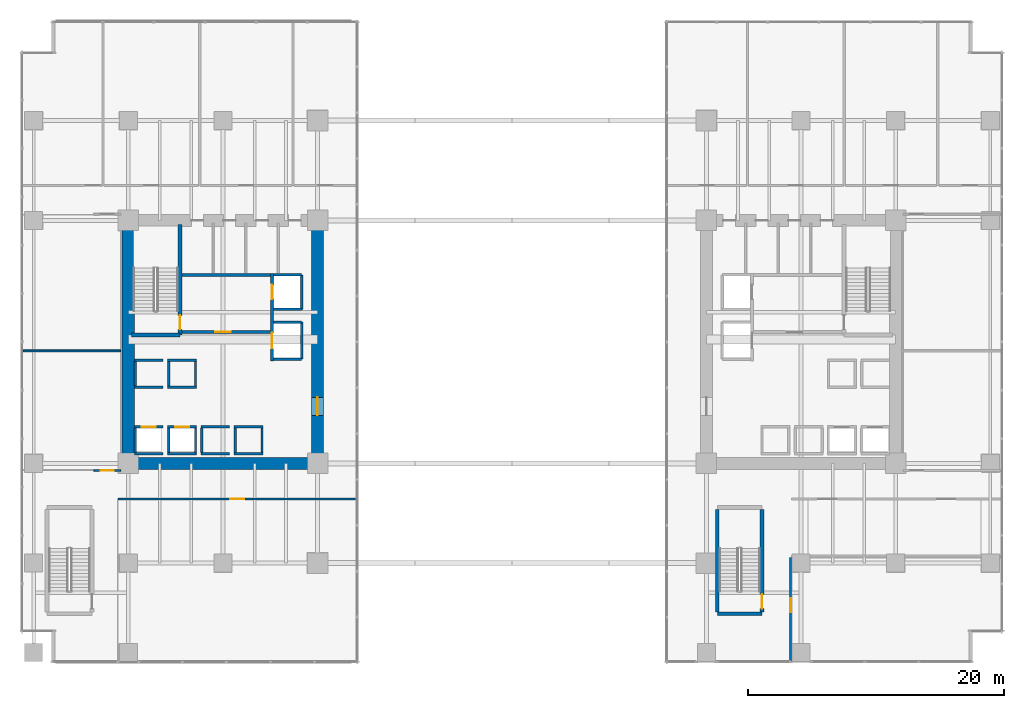
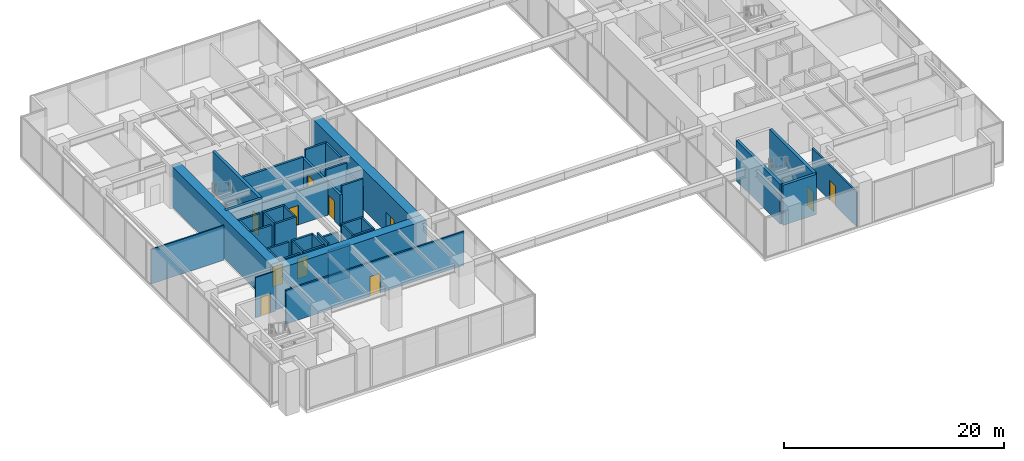
# One storey, part 30 of 39: 42 walls, 11 doors, 11 openings.
"""IFC4 building model written with IfcOpenShell, lengths in metres."""

from ifc_helpers import new_model, si_unit, direction, frame, frame_2d, origin, place, context, subcontext, project, spatial, rectangle, extrude, source, transform, mapped, material, layer, layer_set, type_object, type_shapes, element, fill, save


model = new_model("IFC4")

# Units and contexts
model_context = context("Model", 3, precision=1e-05, world=origin(), true_north=direction((0.0, 1.0)))
body_context = subcontext(model_context, "Body", "Model", "MODEL_VIEW")
ifc_project = project(units=[si_unit("LENGTHUNIT", "METRE"), si_unit("AREAUNIT", "SQUARE_METRE"), si_unit("VOLUMEUNIT", "CUBIC_METRE"), si_unit("PLANEANGLEUNIT", "RADIAN"), si_unit("MASSUNIT", "GRAM", prefix="KILO")], contexts=[model_context])

# Site, building, storey
site_placement = place(None, origin())
site = spatial("IfcSite", under=ifc_project, at=site_placement, CompositionType="ELEMENT")
building_placement = place(site_placement, origin())
building = spatial("IfcBuilding", under=site, at=building_placement, Name="Haelvirn Gate Laboratories", CompositionType="ELEMENT")
storey_placement = place(building_placement, frame((0.0, 0.0, 15.0)))
storey = spatial("IfcBuildingStorey", under=building, at=storey_placement, Name="L04", CompositionType="ELEMENT", Elevation=15.0)

# Wall
ifc_material_1 = material(Name="Acoustic mineral-wool gypsum board partition", Category="gypsum")
ifc_layer_1 = layer(ifc_material_1, 0.139892578125, Name="IW-PART-140")
ifc_layer_set_1 = layer_set([ifc_layer_1], Name="Acoustic mineral-wool gypsum board partition")
wall_type_1 = type_object("IfcWallType", Name="IW-PART-140", PredefinedType="PARTITIONING", material=ifc_layer_set_1)
wall_1_placement = place(storey_placement, frame((-0.85009765625, 23.60009765625, 0.0), z_axis=(0.0, 0.0, 1.0), x_axis=(1.0, 0.0, 0.0)))
element("IfcWall", 1, at=wall_1_placement, inside=storey, type_object=wall_type_1, Name="L04 Interior Wall IW-L04-PODOUT-MID-W", PredefinedType="PARTITIONING", context=body_context, shape_type="SweptSolid", body=[
    extrude(rectangle(XDim=7.650146484375, YDim=0.139892578125, at=frame_2d((3.8251953125, 0.0))), origin(), (0.0, 0.0, 1.0), 3.8349609375),
])

# Wall, opening, door
wall_2_placement = place(storey_placement, frame((4.699951171875, 14.25, 0.0), z_axis=(0.0, 0.0, 1.0), x_axis=(1.0, 0.0, 0.0)))
wall_2 = element("IfcWall", 2, at=wall_2_placement, inside=storey, type_object=wall_type_1, Name="L04 Interior Wall IW-L04-PODOUTW-W-S", PredefinedType="PARTITIONING", context=body_context, shape_type="SweptSolid", body=[
    extrude(rectangle(XDim=2.10009765625, YDim=0.139892578125, at=frame_2d((1.050048828125, 0.0))), origin(), (0.0, 0.0, 1.0), 4.449951171875),
])
opening_1_placement = place(wall_2_placement, frame((0.550048828125, 0.0, 0.0)))
opening_1 = element("IfcOpeningElement", 3, at=opening_1_placement, cuts=wall_2, Name="Opening D2", PredefinedType="OPENING", context=body_context, shape_type="SweptSolid", body=[
    extrude(rectangle(XDim=1.0, YDim=2.14990234375, at=frame_2d((0.5, 1.074951171875))), frame((0.0, 0.080078125, 0.0), z_axis=(0.0, -1.0, 0.0), x_axis=(1.0, 0.0, 0.0)), (0.0, 0.0, 1.0), 0.159912109375),
])
ifc_material_2 = material(Name="Acoustic solid-core timber suite door", Category="wood")
door_type_1 = type_object("IfcDoorType", Name="DR-INT-1000", OperationType="NOTDEFINED", PredefinedType="DOOR", material=ifc_material_2)
shared_shape_1 = source(origin(), body_context, "Body", "SweptSolid", [
    extrude(rectangle(XDim=1.0, YDim=2.14990234375, at=frame_2d((0.5, 1.074951171875))), frame((0.0, 0.02490234375, 0.0), z_axis=(0.0, -1.0, 0.0), x_axis=(1.0, 0.0, 0.0)), (0.0, 0.0, 1.0), 0.050048828125),
])
type_shapes(door_type_1, [shared_shape_1])
door_1_placement = place(opening_1_placement, origin())
door_1 = element("IfcDoor", 4, at=door_1_placement, inside=storey, type_object=door_type_1, Name="L04 Chemical Synthesis Laboratory Outer Wing Door", OperationType="SINGLE_SWING_LEFT", OverallHeight=2.14990234375, OverallWidth=1.0, PredefinedType="DOOR", context=body_context, shape_type="MappedRepresentation", body=[
    mapped(shared_shape_1, transform((0.0, 0.0, 0.0), scale=1.0)),
])
fill(opening_1, door_1)

ifc_material_3 = material(Name="Moisture-resistant gypsum laboratory partition", Category="gypsum")
ifc_layer_2 = layer(ifc_material_3, 0.1650390625, Name="IW-PART-160")
ifc_layer_set_2 = layer_set([ifc_layer_2], Name="Moisture-resistant gypsum laboratory partition")
wall_type_2 = type_object("IfcWallType", Name="IW-PART-160", PredefinedType="PARTITIONING", material=ifc_layer_set_2)
wall_3_placement = place(storey_placement, frame((6.60009765625, 12.02001953125, 0.0), z_axis=(0.0, 0.0, 1.0), x_axis=(1.0, 0.0, 0.0)))
wall_3 = element("IfcWall", 5, at=wall_3_placement, inside=storey, type_object=wall_type_2, Name="L04 Interior Wall IW-L04-PODS-W-1", PredefinedType="PARTITIONING", context=body_context, shape_type="SweptSolid", body=[
    extrude(rectangle(XDim=18.64990234375, YDim=0.1650390625, at=frame_2d((9.324951171875, 0.0))), origin(), (0.0, 0.0, 1.0), 3.735107421875),
])
opening_2_placement = place(wall_3_placement, frame((8.77490234375, 0.0, 0.0)))
opening_2 = element("IfcOpeningElement", 6, at=opening_2_placement, cuts=wall_3, Name="Opening D1", PredefinedType="OPENING", context=body_context, shape_type="SweptSolid", body=[
    extrude(rectangle(XDim=1.10009765625, YDim=2.179931640625, at=frame_2d((0.550048828125, 1.08984375))), frame((0.0, 0.092529296875, 0.0), z_axis=(0.0, -1.0, 0.0), x_axis=(1.0, 0.0, 0.0)), (0.0, 0.0, 1.0), 0.18505859375),
])
ifc_material_4 = material(Name="Vision-panel acoustic solid-core timber lab door", Category="wood")
door_type_2 = type_object("IfcDoorType", Name="DR-LAB-1100", OperationType="NOTDEFINED", PredefinedType="DOOR", material=ifc_material_4)
shared_shape_2 = source(origin(), body_context, "Body", "SweptSolid", [
    extrude(rectangle(XDim=1.10009765625, YDim=2.179931640625, at=frame_2d((0.550048828125, 1.08984375))), frame((0.0, 0.02490234375, 0.0), z_axis=(0.0, -1.0, 0.0), x_axis=(1.0, 0.0, 0.0)), (0.0, 0.0, 1.0), 0.050048828125),
])
type_shapes(door_type_2, [shared_shape_2])
door_2_placement = place(opening_2_placement, origin())
door_2 = element("IfcDoor", 7, at=door_2_placement, inside=storey, type_object=door_type_2, Name="L04 Cryo-Preservation Bio-Repository Laboratory Door", OperationType="SINGLE_SWING_LEFT", OverallHeight=2.179931640625, OverallWidth=1.10009765625, PredefinedType="DOOR", context=body_context, shape_type="MappedRepresentation", body=[
    mapped(shared_shape_2, transform((0.0, 0.0, 0.0), scale=1.0)),
])
fill(opening_2, door_2)

wall_4_placement = place(storey_placement, frame((59.179931640625, -0.64990234375, 0.0), z_axis=(0.0, 0.0, 1.0), x_axis=(0.0, 1.0, 0.0)))
wall_4 = element("IfcWall", 8, at=wall_4_placement, inside=storey, type_object=wall_type_2, Name="L04 Interior Wall IW-L04-FOY-W", PredefinedType="PARTITIONING", context=body_context, shape_type="SweptSolid", body=[
    extrude(rectangle(XDim=8.099853515625, YDim=0.1650390625, at=frame_2d((4.0498046875, 0.0))), origin(), (0.0, 0.0, 1.0), 3.846923828125),
])
opening_3_placement = place(wall_4_placement, frame((3.800048828125, 0.0, 0.0)))
opening_3 = element("IfcOpeningElement", 9, at=opening_3_placement, cuts=wall_4, Name="Opening D1", PredefinedType="OPENING", context=body_context, shape_type="SweptSolid", body=[
    extrude(rectangle(XDim=1.10009765625, YDim=2.179931640625, at=frame_2d((0.550048828125, 1.08984375))), frame((0.0, 0.092529296875, 0.0), z_axis=(0.0, -1.0, 0.0), x_axis=(1.0, 0.0, 0.0)), (0.0, 0.0, 1.0), 0.18505859375),
])
door_3_placement = place(opening_3_placement, origin())
door_3 = element("IfcDoor", 10, at=door_3_placement, inside=storey, type_object=door_type_2, Name="L04 Pre-Function Gallery Door", OperationType="SINGLE_SWING_LEFT", OverallHeight=2.179931640625, OverallWidth=1.10009765625, PredefinedType="DOOR", context=body_context, shape_type="MappedRepresentation", body=[
    mapped(shared_shape_2, transform((0.0, 0.0, 0.0), scale=1.0)),
])
fill(opening_3, door_3)

# Walls
ifc_material_5 = material(Name="Concrete C40/50", Category="concrete")
ifc_layer_3 = layer(ifc_material_5, 0.179931640625, Name="IW-SHAFT-180")
ifc_layer_set_3 = layer_set([ifc_layer_3], Name="Concrete C40/50")
wall_type_3 = type_object("IfcWallType", Name="IW-SHAFT-180", PredefinedType="SOLIDWALL", material=ifc_layer_set_3)
for number, where, z_axis, x_axis, name in (
    (11, (7.949951171875, 15.64990234375, 0.0), (0.0, 0.0, 1.0), (0.0, 1.0, 0.0), "L04 Interior Wall IW-L04-PL1-SD"),
    (12, (10.550048828125, 15.64990234375, 0.0), (0.0, 0.0, 1.0), (0.0, 1.0, 0.0), "L04 Interior Wall IW-L04-PL2-SD"),
    (13, (12.64990234375, 15.64990234375, 0.0), (0.0, 0.0, 1.0), (0.0, 1.0, 0.0), "L04 Interior Wall IW-L04-PL2-SDE"),
    (14, (13.14990234375, 15.64990234375, 0.0), (0.0, 0.0, 1.0), (0.0, 1.0, 0.0), "L04 Interior Wall IW-L04-PL5-SD"),
    (15, (15.75, 15.64990234375, 0.0), (0.0, 0.0, 1.0), (0.0, 1.0, 0.0), "L04 Interior Wall IW-L04-PL6-SD"),
    (16, (17.85009765625, 15.64990234375, 0.0), (0.0, 0.0, 1.0), (0.0, 1.0, 0.0), "L04 Interior Wall IW-L04-PL6-SDE"),
):
    element("IfcWall", number, at=place(storey_placement, frame(where, z_axis=z_axis, x_axis=x_axis)), inside=storey, type_object=wall_type_3, Name=name, PredefinedType="SOLIDWALL", context=body_context, shape_type="SweptSolid", body=[
        extrude(rectangle(XDim=1.900146484375, YDim=0.179931640625, at=frame_2d((0.9501953125, 0.0))), origin(), (0.0, 0.0, 1.0), 4.449951171875),
    ])
for number, where, z_axis, x_axis, name in (
    (17, (7.949951171875, 20.85009765625, 0.0), (0.0, 0.0, 1.0), (0.0, 1.0, 0.0), "L04 Interior Wall IW-L04-PL9-SD"),
    (18, (10.550048828125, 20.85009765625, 0.0), (0.0, 0.0, 1.0), (0.0, 1.0, 0.0), "L04 Interior Wall IW-L04-PL10-SD"),
    (19, (12.64990234375, 20.85009765625, 0.0), (0.0, 0.0, 1.0), (0.0, 1.0, 0.0), "L04 Interior Wall IW-L04-PL10-SDE"),
):
    element("IfcWall", number, at=place(storey_placement, frame(where, z_axis=z_axis, x_axis=x_axis)), inside=storey, type_object=wall_type_3, Name=name, PredefinedType="SOLIDWALL", context=body_context, shape_type="SweptSolid", body=[
        extrude(rectangle(XDim=1.89990234375, YDim=0.179931640625, at=frame_2d((0.949951171875, 0.0))), origin(), (0.0, 0.0, 1.0), 4.449951171875),
    ])

# Wall, opening, door
ifc_layer_4 = layer(ifc_material_5, 0.199951171875, Name="IW-SHAFT-200")
ifc_layer_set_4 = layer_set([ifc_layer_4], Name="Concrete C40/50")
wall_type_4 = type_object("IfcWallType", Name="IW-SHAFT-200", PredefinedType="SOLIDWALL", material=ifc_layer_set_4)
wall_5_placement = place(storey_placement, frame((7.8701171875, 17.64990234375, 0.0), z_axis=(0.0, 0.0, 1.0), x_axis=(1.0, 0.0, 0.0)))
wall_5 = element("IfcWall", 20, at=wall_5_placement, inside=storey, type_object=wall_type_4, Name="L04 Interior Wall IW-L04-PL1-FR", PredefinedType="SOLIDWALL", context=body_context, shape_type="SweptSolid", body=[
    extrude(rectangle(XDim=2.259765625, YDim=0.199951171875, at=frame_2d((1.1298828125, 0.0))), origin(), (0.0, 0.0, 1.0), 4.449951171875),
])
opening_4_placement = place(wall_5_placement, frame((0.580078125, 0.0, 0.0)))
opening_4 = element("IfcOpeningElement", 21, at=opening_4_placement, cuts=wall_5, Name="Opening LD2", PredefinedType="OPENING", context=body_context, shape_type="SweptSolid", body=[
    extrude(rectangle(XDim=1.10009765625, YDim=2.219970703125, at=frame_2d((0.550048828125, 1.10986328125))), frame((0.0, 0.10986328125, 0.0), z_axis=(0.0, -1.0, 0.0), x_axis=(1.0, 0.0, 0.0)), (0.0, 0.0, 1.0), 0.219970703125),
])
ifc_material_6 = material(Name="Bronze stainless 316L sliding lift landing door")
door_type_3 = type_object("IfcDoorType", Name="DR-LD-1100", OperationType="NOTDEFINED", PredefinedType="USERDEFINED", material=ifc_material_6)
shared_shape_3 = source(origin(), body_context, "Body", "SweptSolid", [
    extrude(rectangle(XDim=1.10009765625, YDim=2.219970703125, at=frame_2d((0.550048828125, 1.10986328125))), frame((0.0, 0.02490234375, 0.0), z_axis=(0.0, -1.0, 0.0), x_axis=(1.0, 0.0, 0.0)), (0.0, 0.0, 1.0), 0.050048828125),
])
type_shapes(door_type_3, [shared_shape_3])
door_4_placement = place(opening_4_placement, origin())
door_4 = element("IfcDoor", 22, at=door_4_placement, inside=storey, type_object=door_type_3, Name="L04 Passenger Lift PL1 Landing Door", ObjectType="LANDING_DOOR", OperationType="SLIDING_TO_LEFT", OverallHeight=2.219970703125, OverallWidth=1.10009765625, PredefinedType="USERDEFINED", context=body_context, shape_type="MappedRepresentation", body=[
    mapped(shared_shape_3, transform((0.0, 0.0, 0.0), scale=1.0)),
])
fill(opening_4, door_4)

# Wall
wall_6_placement = place(storey_placement, frame((7.8701171875, 15.550048828125, 0.0), z_axis=(0.0, 0.0, 1.0), x_axis=(1.0, 0.0, 0.0)))
element("IfcWall", 23, at=wall_6_placement, inside=storey, type_object=wall_type_4, Name="L04 Interior Wall IW-L04-PL1-BK", PredefinedType="SOLIDWALL", context=body_context, shape_type="SweptSolid", body=[
    extrude(rectangle(XDim=2.259765625, YDim=0.199951171875, at=frame_2d((1.1298828125, 0.0))), origin(), (0.0, 0.0, 1.0), 4.449951171875),
])

# Wall, opening, door
wall_7_placement = place(storey_placement, frame((10.469970703125, 17.64990234375, 0.0), z_axis=(0.0, 0.0, 1.0), x_axis=(1.0, 0.0, 0.0)))
wall_7 = element("IfcWall", 24, at=wall_7_placement, inside=storey, type_object=wall_type_4, Name="L04 Interior Wall IW-L04-PL2-FR", PredefinedType="SOLIDWALL", context=body_context, shape_type="SweptSolid", body=[
    extrude(rectangle(XDim=2.260009765625, YDim=0.199951171875, at=frame_2d((1.1298828125, 0.0))), origin(), (0.0, 0.0, 1.0), 4.449951171875),
])
opening_5_placement = place(wall_7_placement, frame((0.580078125, 0.0, 0.0)))
opening_5 = element("IfcOpeningElement", 25, at=opening_5_placement, cuts=wall_7, Name="Opening LD2", PredefinedType="OPENING", context=body_context, shape_type="SweptSolid", body=[
    extrude(rectangle(XDim=1.10009765625, YDim=2.219970703125, at=frame_2d((0.550048828125, 1.10986328125))), frame((0.0, 0.10986328125, 0.0), z_axis=(0.0, -1.0, 0.0), x_axis=(1.0, 0.0, 0.0)), (0.0, 0.0, 1.0), 0.219970703125),
])
door_5_placement = place(opening_5_placement, origin())
door_5 = element("IfcDoor", 26, at=door_5_placement, inside=storey, type_object=door_type_3, Name="L04 Passenger Lift PL2 Landing Door", ObjectType="LANDING_DOOR", OperationType="SLIDING_TO_RIGHT", OverallHeight=2.219970703125, OverallWidth=1.10009765625, PredefinedType="USERDEFINED", context=body_context, shape_type="MappedRepresentation", body=[
    mapped(shared_shape_3, transform((0.0, 0.0, 0.0), scale=1.0)),
])
fill(opening_5, door_5)

# Walls
wall_8_placement = place(storey_placement, frame((10.469970703125, 15.550048828125, 0.0), z_axis=(0.0, 0.0, 1.0), x_axis=(1.0, 0.0, 0.0)))
element("IfcWall", 27, at=wall_8_placement, inside=storey, type_object=wall_type_4, Name="L04 Interior Wall IW-L04-PL2-BK", PredefinedType="SOLIDWALL", context=body_context, shape_type="SweptSolid", body=[
    extrude(rectangle(XDim=2.260009765625, YDim=0.199951171875, at=frame_2d((1.1298828125, 0.0))), origin(), (0.0, 0.0, 1.0), 4.449951171875),
])
for number, where, z_axis, x_axis, name in (
    (28, (13.070068359375, 17.64990234375, 0.0), (0.0, 0.0, 1.0), (1.0, 0.0, 0.0), "L04 Interior Wall IW-L04-PL5-FR"),
    (29, (13.070068359375, 15.550048828125, 0.0), (0.0, 0.0, 1.0), (1.0, 0.0, 0.0), "L04 Interior Wall IW-L04-PL5-BK"),
):
    element("IfcWall", number, at=place(storey_placement, frame(where, z_axis=z_axis, x_axis=x_axis)), inside=storey, type_object=wall_type_4, Name=name, PredefinedType="SOLIDWALL", context=body_context, shape_type="SweptSolid", body=[
        extrude(rectangle(XDim=2.260009765625, YDim=0.199951171875, at=frame_2d((1.1298828125, 0.0))), origin(), (0.0, 0.0, 1.0), 3.735107421875),
    ])
for number, where, z_axis, x_axis, name in (
    (30, (15.669921875, 17.64990234375, 0.0), (0.0, 0.0, 1.0), (1.0, 0.0, 0.0), "L04 Interior Wall IW-L04-PL6-FR"),
    (31, (15.669921875, 15.550048828125, 0.0), (0.0, 0.0, 1.0), (1.0, 0.0, 0.0), "L04 Interior Wall IW-L04-PL6-BK"),
):
    element("IfcWall", number, at=place(storey_placement, frame(where, z_axis=z_axis, x_axis=x_axis)), inside=storey, type_object=wall_type_4, Name=name, PredefinedType="SOLIDWALL", context=body_context, shape_type="SweptSolid", body=[
        extrude(rectangle(XDim=2.260009765625, YDim=0.199951171875, at=frame_2d((1.1298828125, 0.0))), origin(), (0.0, 0.0, 1.0), 4.449951171875),
    ])
for number, where, z_axis, x_axis, name in (
    (32, (7.8701171875, 20.75, 0.0), (0.0, 0.0, 1.0), (1.0, 0.0, 0.0), "L04 Interior Wall IW-L04-PL9-FR"),
    (33, (7.8701171875, 22.85009765625, 0.0), (0.0, 0.0, 1.0), (1.0, 0.0, 0.0), "L04 Interior Wall IW-L04-PL9-BK"),
):
    element("IfcWall", number, at=place(storey_placement, frame(where, z_axis=z_axis, x_axis=x_axis)), inside=storey, type_object=wall_type_4, Name=name, PredefinedType="SOLIDWALL", context=body_context, shape_type="SweptSolid", body=[
        extrude(rectangle(XDim=2.259765625, YDim=0.199951171875, at=frame_2d((1.1298828125, 0.0))), origin(), (0.0, 0.0, 1.0), 4.449951171875),
    ])
for number, where, z_axis, x_axis, name in (
    (34, (10.469970703125, 20.75, 0.0), (0.0, 0.0, 1.0), (1.0, 0.0, 0.0), "L04 Interior Wall IW-L04-PL10-FR"),
    (35, (10.469970703125, 22.85009765625, 0.0), (0.0, 0.0, 1.0), (1.0, 0.0, 0.0), "L04 Interior Wall IW-L04-PL10-BK"),
):
    element("IfcWall", number, at=place(storey_placement, frame(where, z_axis=z_axis, x_axis=x_axis)), inside=storey, type_object=wall_type_4, Name=name, PredefinedType="SOLIDWALL", context=body_context, shape_type="SweptSolid", body=[
        extrude(rectangle(XDim=2.260009765625, YDim=0.199951171875, at=frame_2d((1.1298828125, 0.0))), origin(), (0.0, 0.0, 1.0), 4.449951171875),
    ])
wall_9_placement = place(storey_placement, frame((20.949951171875, 26.85009765625, 0.0), z_axis=(0.0, 0.0, 1.0), x_axis=(0.0, 1.0, 0.0)))
element("IfcWall", 36, at=wall_9_placement, inside=storey, type_object=wall_type_4, Name="L04 Interior Wall IW-L04-FL1-BK", PredefinedType="SOLIDWALL", context=body_context, shape_type="SweptSolid", body=[
    extrude(rectangle(XDim=2.699951171875, YDim=0.199951171875, at=frame_2d((1.35009765625, 0.0))), origin(), (0.0, 0.0, 1.0), 4.449951171875),
])
wall_10_placement = place(storey_placement, frame((18.760009765625, 29.550048828125, 0.0), z_axis=(0.0, 0.0, 1.0), x_axis=(1.0, 0.0, 0.0)))
element("IfcWall", 37, at=wall_10_placement, inside=storey, type_object=wall_type_4, Name="L04 Interior Wall IW-L04-FL1-N", PredefinedType="SOLIDWALL", context=body_context, shape_type="SweptSolid", body=[
    extrude(rectangle(XDim=2.18994140625, YDim=0.199951171875, at=frame_2d((1.094970703125, 0.0))), origin(), (0.0, 0.0, 1.0), 4.449951171875),
])
wall_11_placement = place(storey_placement, frame((18.760009765625, 26.85009765625, 0.0), z_axis=(0.0, 0.0, 1.0), x_axis=(1.0, 0.0, 0.0)))
element("IfcWall", 38, at=wall_11_placement, inside=storey, type_object=wall_type_4, Name="L04 Interior Wall IW-L04-FL1-S", PredefinedType="SOLIDWALL", context=body_context, shape_type="SweptSolid", body=[
    extrude(rectangle(XDim=2.18994140625, YDim=0.199951171875, at=frame_2d((1.094970703125, 0.0))), origin(), (0.0, 0.0, 1.0), 3.846923828125),
])
wall_12_placement = place(storey_placement, frame((20.949951171875, 22.949951171875, 0.0), z_axis=(0.0, 0.0, 1.0), x_axis=(0.0, 1.0, 0.0)))
element("IfcWall", 39, at=wall_12_placement, inside=storey, type_object=wall_type_4, Name="L04 Interior Wall IW-L04-SL1-BK", PredefinedType="SOLIDWALL", context=body_context, shape_type="SweptSolid", body=[
    extrude(rectangle(XDim=2.900146484375, YDim=0.199951171875, at=frame_2d((1.4501953125, 0.0))), origin(), (0.0, 0.0, 1.0), 3.534912109375),
])
for number, where, z_axis, x_axis, name in (
    (40, (18.760009765625, 25.85009765625, 0.0), (0.0, 0.0, 1.0), (1.0, 0.0, 0.0), "L04 Interior Wall IW-L04-SL1-N"),
    (41, (18.760009765625, 22.949951171875, 0.0), (0.0, 0.0, 1.0), (1.0, 0.0, 0.0), "L04 Interior Wall IW-L04-SL1-S"),
):
    element("IfcWall", number, at=place(storey_placement, frame(where, z_axis=z_axis, x_axis=x_axis)), inside=storey, type_object=wall_type_4, Name=name, PredefinedType="SOLIDWALL", context=body_context, shape_type="SweptSolid", body=[
        extrude(rectangle(XDim=2.18994140625, YDim=0.199951171875, at=frame_2d((1.094970703125, 0.0))), origin(), (0.0, 0.0, 1.0), 4.449951171875),
    ])

# Wall, opening, door
ifc_layer_5 = layer(ifc_material_5, 0.239990234375, Name="IW-SHAFT-240")
ifc_layer_set_5 = layer_set([ifc_layer_5], Name="Concrete C40/50")
wall_type_5 = type_object("IfcWallType", Name="IW-SHAFT-240", PredefinedType="SOLIDWALL", material=ifc_layer_set_5)
wall_13_placement = place(storey_placement, frame((11.60009765625, 25.080078125, 0.0), z_axis=(0.0, 0.0, 1.0), x_axis=(1.0, 0.0, 0.0)))
wall_13 = element("IfcWall", 42, at=wall_13_placement, inside=storey, type_object=wall_type_5, Name="L04 Interior Wall IW-L04-W-FF-S", PredefinedType="SOLIDWALL", context=body_context, shape_type="SweptSolid", body=[
    extrude(rectangle(XDim=6.919921875, YDim=0.239990234375, at=frame_2d((3.4599609375, 0.0))), origin(), (0.0, 0.0, 1.0), 3.735107421875),
])
opening_6_placement = place(wall_13_placement, frame((2.60009765625, 0.0, 0.0)))
opening_6 = element("IfcOpeningElement", 43, at=opening_6_placement, cuts=wall_13, Name="Opening FD2", PredefinedType="OPENING", context=body_context, shape_type="SweptSolid", body=[
    extrude(rectangle(XDim=1.199951171875, YDim=2.159912109375, at=frame_2d((0.60009765625, 1.080078125))), frame((0.0, 0.1298828125, 0.0), z_axis=(0.0, -1.0, 0.0), x_axis=(1.0, 0.0, 0.0)), (0.0, 0.0, 1.0), 0.260009765625),
])
ifc_material_7 = material(Name="Fire-rated steel SM355 compartment door", Category="steel")
door_type_4 = type_object("IfcDoorType", Name="DR-FD-1200", OperationType="NOTDEFINED", PredefinedType="DOOR", material=ifc_material_7)
shared_shape_4 = source(origin(), body_context, "Body", "SweptSolid", [
    extrude(rectangle(XDim=1.199951171875, YDim=2.159912109375, at=frame_2d((0.60009765625, 1.080078125))), frame((0.0, 0.02490234375, 0.0), z_axis=(0.0, -1.0, 0.0), x_axis=(1.0, 0.0, 0.0)), (0.0, 0.0, 1.0), 0.050048828125),
])
type_shapes(door_type_4, [shared_shape_4])
door_6_placement = place(opening_6_placement, origin())
door_6 = element("IfcDoor", 44, at=door_6_placement, inside=storey, type_object=door_type_4, Name="L04 West Firefighting Lobby Door", OperationType="SINGLE_SWING_RIGHT", OverallHeight=2.159912109375, OverallWidth=1.199951171875, PredefinedType="DOOR", context=body_context, shape_type="MappedRepresentation", body=[
    mapped(shared_shape_4, transform((0.0, 0.0, 0.0), scale=1.0)),
])
fill(opening_6, door_6)

# Wall
wall_14_placement = place(storey_placement, frame((11.60009765625, 29.52001953125, 0.0), z_axis=(0.0, 0.0, 1.0), x_axis=(1.0, 0.0, 0.0)))
element("IfcWall", 45, at=wall_14_placement, inside=storey, type_object=wall_type_5, Name="L04 Interior Wall IW-L04-W-FF-N", PredefinedType="SOLIDWALL", context=body_context, shape_type="SweptSolid", body=[
    extrude(rectangle(XDim=6.919921875, YDim=0.239990234375, at=frame_2d((3.4599609375, 0.0))), origin(), (0.0, 0.0, 1.0), 3.735107421875),
])

# Wall, openings, doors
wall_15_placement = place(storey_placement, frame((18.639892578125, 22.800048828125, 0.0), z_axis=(0.0, 0.0, 1.0), x_axis=(0.0, 1.0, 0.0)))
wall_15 = element("IfcWall", 46, at=wall_15_placement, inside=storey, type_object=wall_type_5, Name="L04 Interior Wall IW-L04-W-FF-E", PredefinedType="SOLIDWALL", context=body_context, shape_type="SweptSolid", body=[
    extrude(rectangle(XDim=6.849853515625, YDim=0.239990234375, at=frame_2d((3.4248046875, 0.0))), origin(), (0.0, 0.0, 1.0), 3.534912109375),
])
opening_7_placement = place(wall_15_placement, frame((4.85009765625, 0.0, 0.0)))
opening_7 = element("IfcOpeningElement", 47, at=opening_7_placement, cuts=wall_15, Name="Opening LD2", PredefinedType="OPENING", context=body_context, shape_type="SweptSolid", body=[
    extrude(rectangle(XDim=1.10009765625, YDim=2.219970703125, at=frame_2d((0.550048828125, 1.10986328125))), frame((0.0, 0.1298828125, 0.0), z_axis=(0.0, -1.0, 0.0), x_axis=(1.0, 0.0, 0.0)), (0.0, 0.0, 1.0), 0.260009765625),
])
opening_8_placement = place(wall_15_placement, frame((1.0, 0.0, 0.0)))
opening_8 = element("IfcOpeningElement", 48, at=opening_8_placement, cuts=wall_15, Name="Opening LD1", PredefinedType="OPENING", context=body_context, shape_type="SweptSolid", body=[
    extrude(rectangle(XDim=1.199951171875, YDim=2.219970703125, at=frame_2d((0.60009765625, 1.10986328125))), frame((0.0, 0.1298828125, 0.0), z_axis=(0.0, -1.0, 0.0), x_axis=(1.0, 0.0, 0.0)), (0.0, 0.0, 1.0), 0.260009765625),
])
door_7_placement = place(opening_7_placement, origin())
door_7 = element("IfcDoor", 49, at=door_7_placement, inside=storey, type_object=door_type_3, Name="L04 Firefighting Lift FL1 Landing Door", ObjectType="LANDING_DOOR", OperationType="SLIDING_TO_LEFT", OverallHeight=2.219970703125, OverallWidth=1.10009765625, PredefinedType="USERDEFINED", context=body_context, shape_type="MappedRepresentation", body=[
    mapped(shared_shape_3, transform((0.0, 0.0, 0.0), scale=1.0)),
])
fill(opening_7, door_7)
ifc_material_8 = material(Name="Stainless steel 316L sliding goods landing door", Category="steel")
door_type_5 = type_object("IfcDoorType", Name="DR-LD-1200", OperationType="NOTDEFINED", PredefinedType="USERDEFINED", material=ifc_material_8)
shared_shape_5 = source(origin(), body_context, "Body", "SweptSolid", [
    extrude(rectangle(XDim=1.199951171875, YDim=2.219970703125, at=frame_2d((0.60009765625, 1.10986328125))), frame((0.0, 0.02490234375, 0.0), z_axis=(0.0, -1.0, 0.0), x_axis=(1.0, 0.0, 0.0)), (0.0, 0.0, 1.0), 0.050048828125),
])
type_shapes(door_type_5, [shared_shape_5])
door_8_placement = place(opening_8_placement, origin())
door_8 = element("IfcDoor", 50, at=door_8_placement, inside=storey, type_object=door_type_5, Name="L04 Service Lift SL1 Landing Door", ObjectType="LANDING_DOOR", OperationType="SLIDING_TO_RIGHT", OverallHeight=2.219970703125, OverallWidth=1.199951171875, PredefinedType="USERDEFINED", context=body_context, shape_type="MappedRepresentation", body=[
    mapped(shared_shape_5, transform((0.0, 0.0, 0.0), scale=1.0)),
])
fill(opening_8, door_8)

# Walls
ifc_material_9 = material(Name="Concrete C70/85", Category="concrete")
ifc_layer_6 = layer(ifc_material_9, 0.949951171875, Name="SW-CORE-950")
ifc_layer_set_6 = layer_set([ifc_layer_6], Name="Concrete C70/85")
wall_type_6 = type_object("IfcWallType", Name="SW-CORE-950", PredefinedType="SHEAR", material=ifc_layer_set_6)
wall_16_placement = place(storey_placement, frame((6.925048828125, 14.800048828125, 0.0), z_axis=(0.0, 0.0, 1.0), x_axis=(1.0, 0.0, 0.0)))
element("IfcWall", 51, at=wall_16_placement, inside=storey, type_object=wall_type_6, Name="L04 W Core Shear Wall S", PredefinedType="SHEAR", context=body_context, shape_type="SweptSolid", body=[
    extrude(rectangle(XDim=15.75, YDim=0.949951171875, at=frame_2d((7.875, 0.0))), origin(), (0.0, 0.0, 1.0), 4.449951171875),
])
wall_17_placement = place(storey_placement, frame((7.39990234375, 15.27490234375, 0.0), z_axis=(0.0, 0.0, 1.0), x_axis=(0.0, 1.0, 0.0)))
element("IfcWall", 52, at=wall_17_placement, inside=storey, type_object=wall_type_6, Name="L04 W Core Shear Wall W", PredefinedType="SHEAR", context=body_context, shape_type="SweptSolid", body=[
    extrude(rectangle(XDim=18.050048828125, YDim=0.949951171875, at=frame_2d((9.02490234375, 0.0))), origin(), (0.0, 0.0, 1.0), 4.449951171875),
])

# Wall, opening, door
wall_18_placement = place(storey_placement, frame((22.199951171875, 15.27490234375, 0.0), z_axis=(0.0, 0.0, 1.0), x_axis=(0.0, 1.0, 0.0)))
wall_18 = element("IfcWall", 53, at=wall_18_placement, inside=storey, type_object=wall_type_6, Name="L04 W Core Shear Wall E", PredefinedType="SHEAR", context=body_context, shape_type="SweptSolid", body=[
    extrude(rectangle(XDim=18.050048828125, YDim=0.949951171875, at=frame_2d((9.02490234375, 0.0))), origin(), (0.0, 0.0, 1.0), 4.449951171875),
])
opening_9_placement = place(wall_18_placement, frame((3.27490234375, 0.0, 0.0)))
opening_9 = element("IfcOpeningElement", 54, at=opening_9_placement, cuts=wall_18, Name="Opening FD1", PredefinedType="OPENING", context=body_context, shape_type="SweptSolid", body=[
    extrude(rectangle(XDim=1.419921875, YDim=2.199951171875, at=frame_2d((0.7099609375, 1.10009765625))), frame((0.0, 0.48486328125, 0.0), z_axis=(0.0, -1.0, 0.0), x_axis=(1.0, 0.0, 0.0)), (0.0, 0.0, 1.0), 0.969970703125),
])
ifc_material_10 = material(Name="Fire-rated double steel SM355 lobby door", Category="steel")
door_type_6 = type_object("IfcDoorType", Name="DR-FD-1400", OperationType="NOTDEFINED", PredefinedType="DOOR", material=ifc_material_10)
shared_shape_6 = source(origin(), body_context, "Body", "SweptSolid", [
    extrude(rectangle(XDim=1.419921875, YDim=2.199951171875, at=frame_2d((0.7099609375, 1.10009765625))), frame((0.0, 0.02490234375, 0.0), z_axis=(0.0, -1.0, 0.0), x_axis=(1.0, 0.0, 0.0)), (0.0, 0.0, 1.0), 0.050048828125),
])
type_shapes(door_type_6, [shared_shape_6])
door_9_placement = place(opening_9_placement, origin())
door_9 = element("IfcDoor", 55, at=door_9_placement, inside=storey, type_object=door_type_6, Name="L04 West Core Lift Lobby Fire Door", OperationType="DOUBLE_DOOR_SINGLE_SWING", OverallHeight=2.199951171875, OverallWidth=1.419921875, PredefinedType="DOOR", context=body_context, shape_type="MappedRepresentation", body=[
    mapped(shared_shape_6, transform((0.0, 0.0, 0.0), scale=1.0)),
])
fill(opening_9, door_9)

ifc_material_11 = material(Name="Concrete C50/60", Category="concrete")
ifc_layer_7 = layer(ifc_material_11, 0.300048828125, Name="SW-STAIR-300")
ifc_layer_set_7 = layer_set([ifc_layer_7], Name="Concrete C50/60")
wall_type_7 = type_object("IfcWallType", Name="SW-STAIR-300", PredefinedType="SHEAR", material=ifc_layer_set_7)
wall_19_placement = place(storey_placement, frame((11.449951171875, 24.85009765625, 0.0), z_axis=(0.0, 0.0, 1.0), x_axis=(0.0, 1.0, 0.0)))
wall_19 = element("IfcWall", 56, at=wall_19_placement, inside=storey, type_object=wall_type_7, Name="L04 W Core Stair Shaft Structural Wall IN", PredefinedType="SHEAR", context=body_context, shape_type="SweptSolid", body=[
    extrude(rectangle(XDim=8.6298828125, YDim=0.300048828125, at=frame_2d((4.31494140625, 0.0))), origin(), (0.0, 0.0, 1.0), 4.449951171875),
])
opening_10_placement = place(wall_19_placement, frame((0.419921875, 0.0, 0.0)))
opening_10 = element("IfcOpeningElement", 57, at=opening_10_placement, cuts=wall_19, Name="Opening FD3", PredefinedType="OPENING", context=body_context, shape_type="SweptSolid", body=[
    extrude(rectangle(XDim=1.10009765625, YDim=2.14990234375, at=frame_2d((0.550048828125, 1.074951171875))), frame((0.0, 0.16015625, 0.0), z_axis=(0.0, -1.0, 0.0), x_axis=(1.0, 0.0, 0.0)), (0.0, 0.0, 1.0), 0.320068359375),
])
ifc_material_12 = material(Name="Fire-rated steel SM355 escape stair door", Category="steel")
door_type_7 = type_object("IfcDoorType", Name="DR-FD-1100", OperationType="NOTDEFINED", PredefinedType="DOOR", material=ifc_material_12)
shared_shape_7 = source(origin(), body_context, "Body", "SweptSolid", [
    extrude(rectangle(XDim=1.10009765625, YDim=2.14990234375, at=frame_2d((0.550048828125, 1.074951171875))), frame((0.0, 0.02490234375, 0.0), z_axis=(0.0, -1.0, 0.0), x_axis=(1.0, 0.0, 0.0)), (0.0, 0.0, 1.0), 0.050048828125),
])
type_shapes(door_type_7, [shared_shape_7])
door_10_placement = place(opening_10_placement, origin())
door_10 = element("IfcDoor", 58, at=door_10_placement, inside=storey, type_object=door_type_7, Name="L04 Escape Stair ST1 Fire Door", OperationType="SINGLE_SWING_LEFT", OverallHeight=2.14990234375, OverallWidth=1.10009765625, PredefinedType="DOOR", context=body_context, shape_type="MappedRepresentation", body=[
    mapped(shared_shape_7, transform((0.0, 0.0, 0.0), scale=1.0)),
])
fill(opening_10, door_10)

# Walls
wall_20_placement = place(storey_placement, frame((7.64990234375, 24.85009765625, 0.0), z_axis=(0.0, 0.0, 1.0), x_axis=(1.0, 0.0, 0.0)))
element("IfcWall", 59, at=wall_20_placement, inside=storey, type_object=wall_type_7, Name="L04 W Core Stair Shaft Structural Wall S", PredefinedType="SHEAR", context=body_context, shape_type="SweptSolid", body=[
    extrude(rectangle(XDim=3.800048828125, YDim=0.300048828125, at=frame_2d((1.89990234375, 0.0))), origin(), (0.0, 0.0, 1.0), 4.449951171875),
])
wall_21_placement = place(storey_placement, frame((53.449951171875, 3.050048828125, 0.0), z_axis=(0.0, 0.0, 1.0), x_axis=(1.0, 0.0, 0.0)))
element("IfcWall", 60, at=wall_21_placement, inside=storey, type_object=wall_type_7, Name="L04 Podium Stair ST4 Structural Wall S", PredefinedType="SHEAR", context=body_context, shape_type="SweptSolid", body=[
    extrude(rectangle(XDim=3.5, YDim=0.300048828125, at=frame_2d((1.75, 0.0))), origin(), (0.0, 0.0, 1.0), 4.449951171875),
])
wall_22_placement = place(storey_placement, frame((53.449951171875, 3.199951171875, 0.0), z_axis=(0.0, 0.0, 1.0), x_axis=(0.0, 1.0, 0.0)))
element("IfcWall", 61, at=wall_22_placement, inside=storey, type_object=wall_type_7, Name="L04 Podium Stair ST4 Structural Wall W", PredefinedType="SHEAR", context=body_context, shape_type="SweptSolid", body=[
    extrude(rectangle(XDim=8.0, YDim=0.300048828125, at=frame_2d((4.0, 0.0))), origin(), (0.0, 0.0, 1.0), 4.449951171875),
])

# Wall, opening, door
wall_23_placement = place(storey_placement, frame((56.949951171875, 3.199951171875, 0.0), z_axis=(0.0, 0.0, 1.0), x_axis=(0.0, 1.0, 0.0)))
wall_23 = element("IfcWall", 62, at=wall_23_placement, inside=storey, type_object=wall_type_7, Name="L04 Podium Stair ST4 Structural Wall E", PredefinedType="SHEAR", context=body_context, shape_type="SweptSolid", body=[
    extrude(rectangle(XDim=8.0, YDim=0.300048828125, at=frame_2d((4.0, 0.0))), origin(), (0.0, 0.0, 1.0), 4.449951171875),
])
opening_11_placement = place(wall_23_placement, frame((0.25, 0.0, 0.0)))
opening_11 = element("IfcOpeningElement", 63, at=opening_11_placement, cuts=wall_23, Name="Opening FD3", PredefinedType="OPENING", context=body_context, shape_type="SweptSolid", body=[
    extrude(rectangle(XDim=1.10009765625, YDim=2.14990234375, at=frame_2d((0.550048828125, 1.074951171875))), frame((0.0, 0.16015625, 0.0), z_axis=(0.0, -1.0, 0.0), x_axis=(1.0, 0.0, 0.0)), (0.0, 0.0, 1.0), 0.320068359375),
])
door_11_placement = place(opening_11_placement, origin())
door_11 = element("IfcDoor", 64, at=door_11_placement, inside=storey, type_object=door_type_7, Name="L04 Escape Stair ST4 Fire Door", OperationType="SINGLE_SWING_RIGHT", OverallHeight=2.14990234375, OverallWidth=1.10009765625, PredefinedType="DOOR", context=body_context, shape_type="MappedRepresentation", body=[
    mapped(shared_shape_7, transform((0.0, 0.0, 0.0), scale=1.0)),
])
fill(opening_11, door_11)

save(model, "model.ifc")
